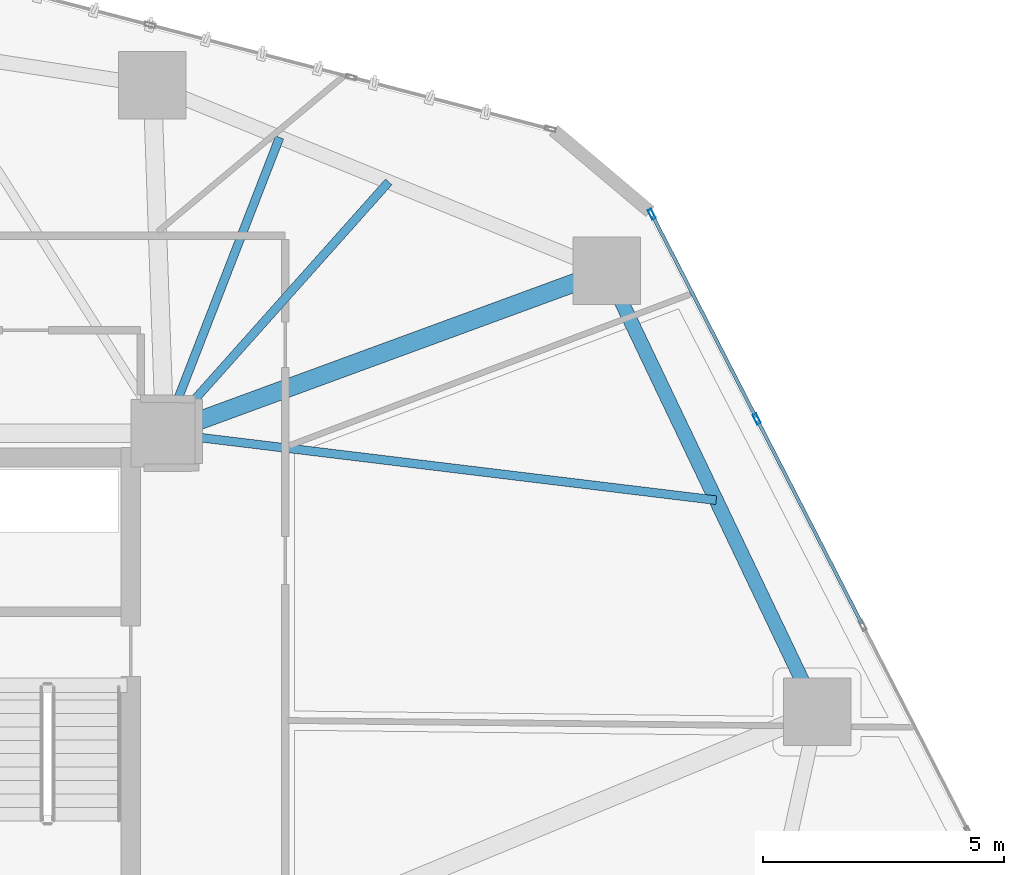
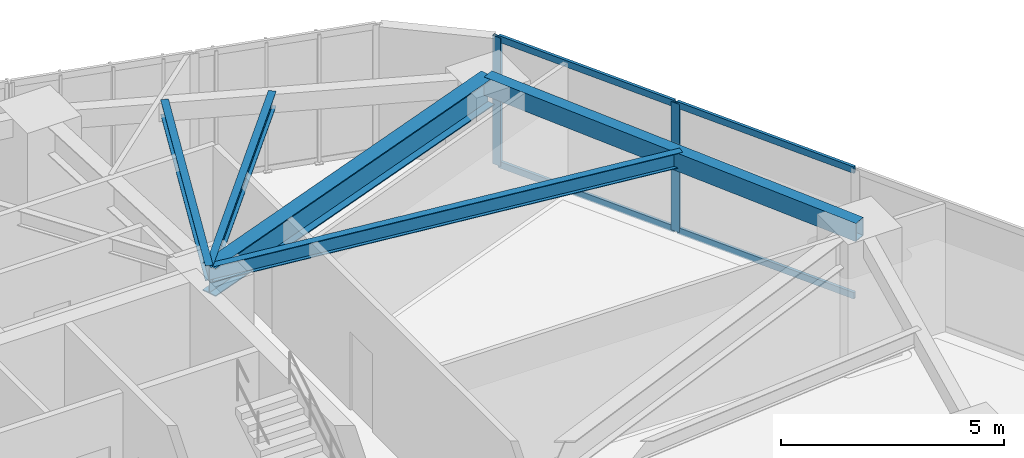
# One storey, part 12 of 23: 6 members, 5 beams, 1 element without a shape of its own.
"""IFC4 building model written with IfcOpenShell, lengths in metres."""

from ifc_helpers import new_model, si_unit, direction, frame, origin, origin_2d, place, context, subcontext, project, spatial, hollow_rectangle, i_section, extrude, source, transform, mapped, material, layer, layer_set, material_profile, profile_set, type_object, type_shapes, element, aggregate, save


model = new_model("IFC4")

# Units and contexts
model_context = context("Model", 3, precision=1e-05, world=origin(), true_north=direction((0.0, 1.0)))
body_context = subcontext(model_context, "Body", "Model", "MODEL_VIEW")
ifc_project = project(units=[si_unit("LENGTHUNIT", "METRE"), si_unit("AREAUNIT", "SQUARE_METRE"), si_unit("VOLUMEUNIT", "CUBIC_METRE"), si_unit("PLANEANGLEUNIT", "RADIAN"), si_unit("MASSUNIT", "GRAM", prefix="KILO")], contexts=[model_context])

# Site, building, storey
site_placement = place(None, origin())
site = spatial("IfcSite", under=ifc_project, at=site_placement, CompositionType="ELEMENT")
building_placement = place(site_placement, origin())
building = spatial("IfcBuilding", under=site, at=building_placement, Name="Talar Marvaseh", CompositionType="ELEMENT")
storey_placement = place(building_placement, frame((0.0, 0.0, 46.800048828125)))
storey = spatial("IfcBuildingStorey", under=building, at=storey_placement, Name="L11", CompositionType="ELEMENT", Elevation=46.800048828125)

# Beams
ifc_material_1 = material(Name="Steel S355", Category="steel")
ifc_material_profile_1 = material_profile(ifc_material_1, hollow_rectangle(XDim=0.300048828125, YDim=0.5, WallThickness=0.02001953125, at=origin_2d()), Name="RHS500x300x20")
ifc_profile_set_1 = profile_set([ifc_material_profile_1], Name="Steel S355")
beam_type_1 = type_object("IfcBeamType", Name="Zone 1 Perimeter Spandrel Beam RHS500x300x20", PredefinedType="SPANDREL", material=ifc_profile_set_1)
beam_1_placement = place(storey_placement, frame((42.47705078125, 40.26904296875, 3.27001953125), z_axis=(0.430480372911, -0.902599938255, 0.0), x_axis=(0.902599938255, 0.430480372911, 0.0)))
element("IfcBeam", 1, at=beam_1_placement, inside=storey, type_object=beam_type_1, Name="L11 Zone 1 Perimeter Spandrel Beam RHS500x300x20", PredefinedType="SPANDREL", context=body_context, shape_type="SweptSolid", body=[
    extrude(hollow_rectangle(XDim=0.300048828125, YDim=0.5, WallThickness=0.02001953125, at=origin_2d()), origin(), (0.0, 0.0, 1.0), 10.137451171875),
])
ifc_material_profile_2 = material_profile(ifc_material_1, i_section(OverallWidth=0.381103515625, OverallDepth=0.77294921875, WebThickness=0.0166015625, FlangeThickness=0.027099609375, at=origin_2d()), Name="W760x257")
ifc_profile_set_2 = profile_set([ifc_material_profile_2], Name="Steel S355")
beam_type_2 = type_object("IfcBeamType", Name="Zone 1 Radial Floor Girder W760x257", PredefinedType="BEAM", material=ifc_profile_set_2)
beam_2_placement = place(storey_placement, frame((42.47705078125, 40.26904296875, 3.133544921875), z_axis=(-0.938736057616, -0.344636930887, 0.0), x_axis=(0.344636930887, -0.938736057616, 0.0)))
element("IfcBeam", 2, at=beam_2_placement, inside=storey, type_object=beam_type_2, Name="L11 Zone 1 Radial Floor Girder W760x257", PredefinedType="BEAM", context=body_context, shape_type="SweptSolid", body=[
    extrude(i_section(OverallWidth=0.381103515625, OverallDepth=0.77294921875, WebThickness=0.0166015625, FlangeThickness=0.027099609375, at=origin_2d()), origin(), (0.0, 0.0, 1.0), 9.77587890625),
])
ifc_material_profile_3 = material_profile(ifc_material_1, i_section(OverallWidth=0.179931640625, OverallDepth=0.4130859375, WebThickness=0.009765625, FlangeThickness=0.01611328125, at=origin_2d()), Name="W410x75")
ifc_profile_set_3 = profile_set([ifc_material_profile_3], Name="Steel S355")
beam_type_3 = type_object("IfcBeamType", Name="Zone 1 Secondary Floor Joist W410x75", PredefinedType="JOIST", material=ifc_profile_set_3)
beam_3_placement = place(storey_placement, frame((44.746337890625, 35.510986328125, 3.3134765625), z_axis=(-0.99271836771, 0.120458467577, 0.0), x_axis=(-0.120458467577, -0.99271836771, 0.0)))
element("IfcBeam", 3, at=beam_3_placement, inside=storey, type_object=beam_type_3, Name="L11 Zone 1 Secondary Floor Joist W410x75", PredefinedType="JOIST", context=body_context, shape_type="SweptSolid", body=[
    extrude(i_section(OverallWidth=0.179931640625, OverallDepth=0.4130859375, WebThickness=0.009765625, FlangeThickness=0.01611328125, at=origin_2d()), origin(), (0.0, 0.0, 1.0), 11.5302734375),
])
beam_4_placement = place(storey_placement, frame((35.686767578125, 43.040283203125, 3.3134765625), z_axis=(-0.362287091686, -0.932066555133, 0.0), x_axis=(0.932066555133, -0.362287091686, 0.0)))
element("IfcBeam", 4, at=beam_4_placement, inside=storey, type_object=beam_type_3, Name="L11 Zone 1 Secondary Floor Joist W410x75", PredefinedType="JOIST", context=body_context, shape_type="SweptSolid", body=[
    extrude(i_section(OverallWidth=0.179931640625, OverallDepth=0.4130859375, WebThickness=0.009765625, FlangeThickness=0.01611328125, at=origin_2d()), origin(), (0.0, 0.0, 1.0), 6.587890625),
])
beam_5_placement = place(storey_placement, frame((37.9501953125, 42.116455078125, 3.3134765625), z_axis=(-0.665419195859, -0.746469888062, 0.0), x_axis=(0.746469888062, -0.665419195859, 0.0)))
element("IfcBeam", 5, at=beam_5_placement, inside=storey, type_object=beam_type_3, Name="L11 Zone 1 Secondary Floor Joist W410x75", PredefinedType="JOIST", context=body_context, shape_type="SweptSolid", body=[
    extrude(i_section(OverallWidth=0.179931640625, OverallDepth=0.4130859375, WebThickness=0.009765625, FlangeThickness=0.01611328125, at=origin_2d()), origin(), (0.0, 0.0, 1.0), 6.98828125),
])

# Curtain wall, members
ifc_material_2 = material(Name="Architectural Aluminium", Category="aluminium")
ifc_layer = layer(ifc_material_2, 0.219970703125)
ifc_layer_set = layer_set([ifc_layer], Name="Architectural Aluminium")
curtain_wall_type = type_object("IfcCurtainWallType", Name="Unitised Low-E Museum Curtain Wall Z1", PredefinedType="NOTDEFINED", material=ifc_layer_set)
curtain_wall_placement = place(storey_placement, origin())
curtain_wall = element("IfcCurtainWall", 6, at=curtain_wall_placement, inside=storey, type_object=curtain_wall_type, Name="L11 Unitised Low-E Museum Curtain Wall Z1", PredefinedType="NOTDEFINED")
ifc_material_profile_4 = material_profile(ifc_material_2, hollow_rectangle(XDim=0.080078125, YDim=0.219970703125, WallThickness=0.0048828125, at=origin_2d()), Name="RHS220x80x5")
ifc_profile_set_4 = profile_set([ifc_material_profile_4], Name="Architectural Aluminium")
member_type_1 = type_object("IfcMemberType", Name="Unitised Curtain Wall Heavy Mullion RHS220x80x5", PredefinedType="MULLION", material=ifc_profile_set_4)
shared_shape_1 = source(origin(), body_context, "Body", "SweptSolid", [
    extrude(hollow_rectangle(XDim=0.080078125, YDim=0.219970703125, WallThickness=0.0048828125, at=origin_2d()), origin(), (0.0, 0.0, 1.0), 3.52001953125),
])
type_shapes(member_type_1, [shared_shape_1])
member_1_placement = place(storey_placement, frame((43.408447265625, 41.446044921875, 0.0), z_axis=(0.0, 0.0, 1.0), x_axis=(0.889785469993, 0.456379028209, 0.0)))
member_1 = element("IfcMember", 7, at=member_1_placement, type_object=member_type_1, Name="CW-Z1 mullion 1", PredefinedType="MULLION", context=body_context, shape_type="MappedRepresentation", body=[
    mapped(shared_shape_1, transform((0.0, 0.0, 0.0), x_axis=(1.0, 0.0, 0.0), y_axis=(0.0, 1.0, 0.0), z_axis=(0.0, 0.0, 1.0), scale=1.0)),
])
member_2_placement = place(storey_placement, frame((45.58837890625, 37.196044921875, 0.0), z_axis=(0.0, 0.0, 1.0), x_axis=(0.889785469993, 0.456379028209, 0.0)))
member_2 = element("IfcMember", 8, at=member_2_placement, type_object=member_type_1, Name="CW-Z1 mullion 2", PredefinedType="MULLION", context=body_context, shape_type="MappedRepresentation", body=[
    mapped(shared_shape_1, transform((0.0, 0.0, 0.0), x_axis=(1.0, 0.0, 0.0), y_axis=(0.0, 1.0, 0.0), z_axis=(0.0, 0.0, 1.0), scale=1.0)),
])
ifc_material_profile_5 = material_profile(ifc_material_2, hollow_rectangle(XDim=0.074951171875, YDim=0.179931640625, WallThickness=0.0048828125, at=origin_2d()), Name="RHS180x75x5")
ifc_profile_set_5 = profile_set([ifc_material_profile_5], Name="Architectural Aluminium")
member_type_2 = type_object("IfcMemberType", Name="Unitised Curtain Wall Transom RHS180x75x5", PredefinedType="USERDEFINED", material=ifc_profile_set_5)
shared_shape_2 = source(origin(), body_context, "Body", "SweptSolid", [
    extrude(hollow_rectangle(XDim=0.074951171875, YDim=0.179931640625, WallThickness=0.0048828125, at=origin_2d()), origin(), (0.0, 0.0, 1.0), 4.696533203125),
])
member_3_placement = place(storey_placement, frame((43.4267578125, 41.410400390625, 0.037353515625), z_axis=(0.456401072156, -0.889774163108, 0.0), x_axis=(0.889774163108, 0.456401072156, 0.0)))
member_3 = element("IfcMember", 9, at=member_3_placement, type_object=member_type_2, Name="CW-Z1 transom 1.1", ObjectType="TRANSOM", PredefinedType="USERDEFINED", context=body_context, shape_type="MappedRepresentation", body=[
    mapped(shared_shape_2, transform((0.0, 0.0, 0.0), x_axis=(1.0, 0.0, 0.0), y_axis=(0.0, 1.0, 0.0), z_axis=(0.0, 0.0, 1.0), scale=1.0)),
])
member_4_placement = place(storey_placement, frame((43.4267578125, 41.410400390625, 3.482421875), z_axis=(0.456401072156, -0.889774163108, 0.0), x_axis=(0.889774163108, 0.456401072156, 0.0)))
member_4 = element("IfcMember", 10, at=member_4_placement, type_object=member_type_2, Name="CW-Z1 transom 1.2", ObjectType="TRANSOM", PredefinedType="USERDEFINED", context=body_context, shape_type="MappedRepresentation", body=[
    mapped(shared_shape_2, transform((0.0, 0.0, 0.0), x_axis=(1.0, 0.0, 0.0), y_axis=(0.0, 1.0, 0.0), z_axis=(0.0, 0.0, 1.0), scale=1.0)),
])
shared_shape_3 = source(origin(), body_context, "Body", "SweptSolid", [
    extrude(hollow_rectangle(XDim=0.074951171875, YDim=0.179931640625, WallThickness=0.0048828125, at=origin_2d()), origin(), (0.0, 0.0, 1.0), 4.73681640625),
])
type_shapes(member_type_2, [shared_shape_2, shared_shape_3])
member_5_placement = place(storey_placement, frame((45.606689453125, 37.160400390625, 0.037353515625), z_axis=(0.456405589706, -0.88977184586, 0.0), x_axis=(0.88977184586, 0.456405589706, 0.0)))
member_5 = element("IfcMember", 11, at=member_5_placement, type_object=member_type_2, Name="CW-Z1 transom 2.1", ObjectType="TRANSOM", PredefinedType="USERDEFINED", context=body_context, shape_type="MappedRepresentation", body=[
    mapped(shared_shape_3, transform((0.0, 0.0, 0.0), x_axis=(1.0, 0.0, 0.0), y_axis=(0.0, 1.0, 0.0), z_axis=(0.0, 0.0, 1.0), scale=1.0)),
])
member_6_placement = place(storey_placement, frame((45.606689453125, 37.160400390625, 3.482421875), z_axis=(0.456405589706, -0.88977184586, 0.0), x_axis=(0.88977184586, 0.456405589706, 0.0)))
member_6 = element("IfcMember", 12, at=member_6_placement, type_object=member_type_2, Name="CW-Z1 transom 2.2", ObjectType="TRANSOM", PredefinedType="USERDEFINED", context=body_context, shape_type="MappedRepresentation", body=[
    mapped(shared_shape_3, transform((0.0, 0.0, 0.0), x_axis=(1.0, 0.0, 0.0), y_axis=(0.0, 1.0, 0.0), z_axis=(0.0, 0.0, 1.0), scale=1.0)),
])
aggregate(curtain_wall, [member_1, member_2, member_3, member_4, member_5, member_6])

save(model, "model.ifc")
